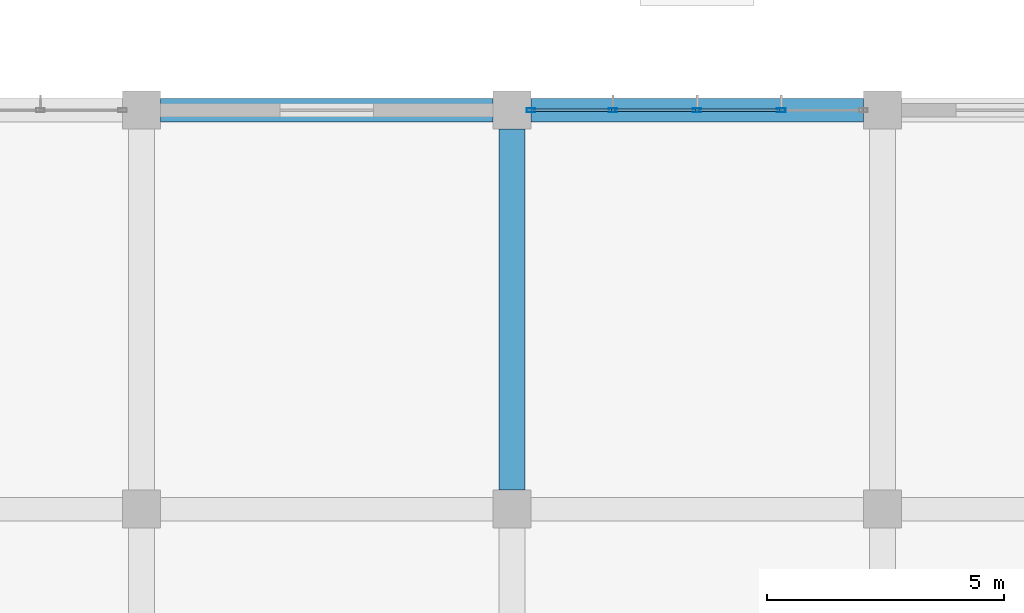
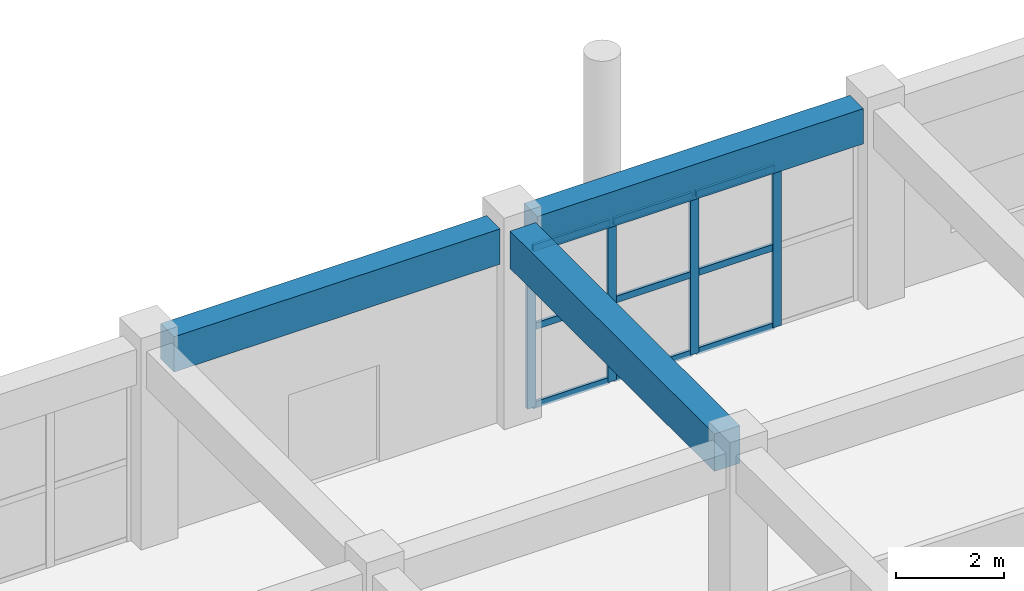
# One storey, part 98 of 139: 13 members, 3 beams, 1 element without a shape of its own.
"""IFC4 building model written with IfcOpenShell, lengths in metres."""

from ifc_helpers import new_model, si_unit, direction, frame, origin, origin_2d, place, context, subcontext, project, spatial, rectangle, hollow_rectangle, extrude, material, layer, layer_set, material_profile, profile_set, type_object, element, aggregate, save


model = new_model("IFC4")

# Units and contexts
model_context = context("Model", 3, precision=1e-05, world=origin(), true_north=direction((0.0, 1.0)))
body_context = subcontext(model_context, "Body", "Model", "MODEL_VIEW")
ifc_project = project(units=[si_unit("LENGTHUNIT", "METRE"), si_unit("AREAUNIT", "SQUARE_METRE"), si_unit("VOLUMEUNIT", "CUBIC_METRE"), si_unit("PLANEANGLEUNIT", "RADIAN"), si_unit("MASSUNIT", "GRAM", prefix="KILO")], contexts=[model_context])

# Site, building, storey
site_placement = place(None, origin())
site = spatial("IfcSite", under=ifc_project, at=site_placement, CompositionType="ELEMENT")
building_placement = place(site_placement, origin())
building = spatial("IfcBuilding", under=site, at=building_placement, Name="Zizhar Promenade General Hospital", CompositionType="ELEMENT")
storey_placement = place(building_placement, origin())
storey = spatial("IfcBuildingStorey", under=building, at=storey_placement, Name="L00", CompositionType="ELEMENT", Elevation=0.0)

# Beams
ifc_material_1 = material(Name="Concrete C35/45", Category="concrete")
ifc_material_profile_1 = material_profile(ifc_material_1, rectangle(XDim=0.5, YDim=0.800048828125, at=origin_2d()))
ifc_profile_set_1 = profile_set([ifc_material_profile_1], Name="Concrete C35/45")
beam_type_1 = type_object("IfcBeamType", Name="BM-RC-500x800", PredefinedType="BEAM", material=ifc_profile_set_1)
for number, where, z_axis, x_axis, name in (
    (1, (109.60009765625, 134.39990234375, 4.070068359375), (1.0, 0.0, 0.0), (0.0, 1.0, 0.0), "Grid Beam X L00 (14-16)"),
    (2, (117.39990234375, 134.39990234375, 4.070068359375), (1.0, 0.0, 0.0), (0.0, 1.0, 0.0), "Grid Beam X L00 (15-16)"),
):
    element("IfcBeam", number, at=place(storey_placement, frame(where, z_axis=z_axis, x_axis=x_axis)), inside=storey, type_object=beam_type_1, Name=name, PredefinedType="BEAM", context=body_context, shape_type="SweptSolid", body=[
        extrude(rectangle(XDim=0.5, YDim=0.800048828125, at=origin_2d()), origin(), (0.0, 0.0, 1.0), 7.0),
    ])
ifc_material_2 = material(Name="Concrete C35/45", Category="concrete")
ifc_material_profile_2 = material_profile(ifc_material_2, rectangle(XDim=0.550048828125, YDim=0.85009765625, at=origin_2d()))
ifc_profile_set_2 = profile_set([ifc_material_profile_2], Name="Concrete C35/45")
beam_type_2 = type_object("IfcBeamType", Name="BM-RC-550x850", PredefinedType="BEAM", material=ifc_profile_set_2)
beam_placement = place(storey_placement, frame((117.0, 126.39990234375, 4.044921875), z_axis=(0.0, 1.0, 0.0), x_axis=(-1.0, 0.0, 0.0)))
element("IfcBeam", 3, at=beam_placement, inside=storey, type_object=beam_type_2, Name="Grid Beam Y L00 (15-15)", PredefinedType="BEAM", context=body_context, shape_type="SweptSolid", body=[
    extrude(rectangle(XDim=0.550048828125, YDim=0.85009765625, at=origin_2d()), origin(), (0.0, 0.0, 1.0), 7.60009765625),
])

# Curtain wall, members
ifc_material_3 = material(Name="Anodised aluminium 6063-T6 and low-E glass", Category="aluminium")
ifc_layer = layer(ifc_material_3, 0.159912109375)
ifc_layer_set = layer_set([ifc_layer], Name="Anodised aluminium 6063-T6 and low-E glass")
curtain_wall_type = type_object("IfcCurtainWallType", Name="CW-DT-MOD2", PredefinedType="NOTDEFINED", material=ifc_layer_set)
curtain_wall_placement = place(storey_placement, origin())
curtain_wall = element("IfcCurtainWall", 4, at=curtain_wall_placement, inside=storey, type_object=curtain_wall_type, Name="Surgical North Glazed Curtain Wall L00-15", PredefinedType="NOTDEFINED")
ifc_material_4 = material(Name="Anodised aluminium 6063-T6", Category="aluminium")
ifc_material_profile_3 = material_profile(ifc_material_4, hollow_rectangle(XDim=0.080078125, YDim=0.179931640625, WallThickness=0.0048828125, at=origin_2d()))
ifc_profile_set_3 = profile_set([ifc_material_profile_3], Name="Anodised aluminium 6063-T6")
member_type_1 = type_object("IfcMemberType", Name="CWM-ALU-180x80", PredefinedType="MULLION", material=ifc_profile_set_3)
member_1_placement = place(storey_placement, frame((117.39990234375, 134.39990234375, 0.0), z_axis=(0.0, 0.0, 1.0), x_axis=(0.0, 1.0, 0.0)))
member_1 = element("IfcMember", 5, at=member_1_placement, type_object=member_type_1, Name="CW-08 mullion 1", PredefinedType="MULLION", context=body_context, shape_type="SweptSolid", body=[
    extrude(hollow_rectangle(XDim=0.080078125, YDim=0.179931640625, WallThickness=0.0048828125, at=origin_2d()), origin(), (0.0, 0.0, 1.0), 3.6298828125),
])
member_2_placement = place(storey_placement, frame((119.1298828125, 134.39990234375, 0.0), z_axis=(0.0, 0.0, 1.0), x_axis=(0.0, 1.0, 0.0)))
member_2 = element("IfcMember", 6, at=member_2_placement, type_object=member_type_1, Name="CW-08 mullion 2", PredefinedType="MULLION", context=body_context, shape_type="SweptSolid", body=[
    extrude(hollow_rectangle(XDim=0.080078125, YDim=0.179931640625, WallThickness=0.0048828125, at=origin_2d()), origin(), (0.0, 0.0, 1.0), 3.6298828125),
])
member_3_placement = place(storey_placement, frame((120.89990234375, 134.39990234375, 0.0), z_axis=(0.0, 0.0, 1.0), x_axis=(0.0, 1.0, 0.0)))
member_3 = element("IfcMember", 7, at=member_3_placement, type_object=member_type_1, Name="CW-08 mullion 3", PredefinedType="MULLION", context=body_context, shape_type="SweptSolid", body=[
    extrude(hollow_rectangle(XDim=0.080078125, YDim=0.179931640625, WallThickness=0.0048828125, at=origin_2d()), origin(), (0.0, 0.0, 1.0), 3.6298828125),
])
member_4_placement = place(storey_placement, frame((122.669921875, 134.39990234375, 0.0), z_axis=(0.0, 0.0, 1.0), x_axis=(0.0, 1.0, 0.0)))
member_4 = element("IfcMember", 8, at=member_4_placement, type_object=member_type_1, Name="CW-08 mullion 4", PredefinedType="MULLION", context=body_context, shape_type="SweptSolid", body=[
    extrude(hollow_rectangle(XDim=0.080078125, YDim=0.179931640625, WallThickness=0.0048828125, at=origin_2d()), origin(), (0.0, 0.0, 1.0), 3.6298828125),
])
ifc_material_5 = material(Name="Anodised aluminium 6063-T6", Category="aluminium")
ifc_material_profile_4 = material_profile(ifc_material_5, hollow_rectangle(XDim=0.06005859375, YDim=0.14990234375, WallThickness=0.00390625, at=origin_2d()))
ifc_profile_set_4 = profile_set([ifc_material_profile_4], Name="Anodised aluminium 6063-T6")
member_type_2 = type_object("IfcMemberType", Name="CWT-ALU-150x60", PredefinedType="USERDEFINED", material=ifc_profile_set_4)
member_5_placement = place(storey_placement, frame((117.43994140625, 134.39990234375, 0.030029296875), z_axis=(1.0, 0.0, 0.0), x_axis=(0.0, 1.0, 0.0)))
member_5 = element("IfcMember", 9, at=member_5_placement, type_object=member_type_2, Name="CW-08 transom 1.1", ObjectType="TRANSOM", PredefinedType="USERDEFINED", context=body_context, shape_type="SweptSolid", body=[
    extrude(hollow_rectangle(XDim=0.06005859375, YDim=0.14990234375, WallThickness=0.00390625, at=origin_2d()), origin(), (0.0, 0.0, 1.0), 1.650146484375),
])
member_6_placement = place(storey_placement, frame((117.43994140625, 134.39990234375, 1.81494140625), z_axis=(1.0, 0.0, 0.0), x_axis=(0.0, 1.0, 0.0)))
member_6 = element("IfcMember", 10, at=member_6_placement, type_object=member_type_2, Name="CW-08 transom 1.2", ObjectType="TRANSOM", PredefinedType="USERDEFINED", context=body_context, shape_type="SweptSolid", body=[
    extrude(hollow_rectangle(XDim=0.06005859375, YDim=0.14990234375, WallThickness=0.00390625, at=origin_2d()), origin(), (0.0, 0.0, 1.0), 1.650146484375),
])
member_7_placement = place(storey_placement, frame((117.43994140625, 134.39990234375, 3.60009765625), z_axis=(1.0, 0.0, 0.0), x_axis=(0.0, 1.0, 0.0)))
member_7 = element("IfcMember", 11, at=member_7_placement, type_object=member_type_2, Name="CW-08 transom 1.3", ObjectType="TRANSOM", PredefinedType="USERDEFINED", context=body_context, shape_type="SweptSolid", body=[
    extrude(hollow_rectangle(XDim=0.06005859375, YDim=0.14990234375, WallThickness=0.00390625, at=origin_2d()), origin(), (0.0, 0.0, 1.0), 1.650146484375),
])
member_8_placement = place(storey_placement, frame((119.169921875, 134.39990234375, 0.030029296875), z_axis=(1.0, 0.0, 0.0), x_axis=(0.0, 1.0, 0.0)))
member_8 = element("IfcMember", 12, at=member_8_placement, type_object=member_type_2, Name="CW-08 transom 2.1", ObjectType="TRANSOM", PredefinedType="USERDEFINED", context=body_context, shape_type="SweptSolid", body=[
    extrude(hollow_rectangle(XDim=0.06005859375, YDim=0.14990234375, WallThickness=0.00390625, at=origin_2d()), origin(), (0.0, 0.0, 1.0), 1.690185546875),
])
member_9_placement = place(storey_placement, frame((119.169921875, 134.39990234375, 1.81494140625), z_axis=(1.0, 0.0, 0.0), x_axis=(0.0, 1.0, 0.0)))
member_9 = element("IfcMember", 13, at=member_9_placement, type_object=member_type_2, Name="CW-08 transom 2.2", ObjectType="TRANSOM", PredefinedType="USERDEFINED", context=body_context, shape_type="SweptSolid", body=[
    extrude(hollow_rectangle(XDim=0.06005859375, YDim=0.14990234375, WallThickness=0.00390625, at=origin_2d()), origin(), (0.0, 0.0, 1.0), 1.690185546875),
])
member_10_placement = place(storey_placement, frame((119.169921875, 134.39990234375, 3.60009765625), z_axis=(1.0, 0.0, 0.0), x_axis=(0.0, 1.0, 0.0)))
member_10 = element("IfcMember", 14, at=member_10_placement, type_object=member_type_2, Name="CW-08 transom 2.3", ObjectType="TRANSOM", PredefinedType="USERDEFINED", context=body_context, shape_type="SweptSolid", body=[
    extrude(hollow_rectangle(XDim=0.06005859375, YDim=0.14990234375, WallThickness=0.00390625, at=origin_2d()), origin(), (0.0, 0.0, 1.0), 1.690185546875),
])
member_11_placement = place(storey_placement, frame((120.93994140625, 134.39990234375, 0.030029296875), z_axis=(1.0, 0.0, 0.0), x_axis=(0.0, 1.0, 0.0)))
member_11 = element("IfcMember", 15, at=member_11_placement, type_object=member_type_2, Name="CW-08 transom 3.1", ObjectType="TRANSOM", PredefinedType="USERDEFINED", context=body_context, shape_type="SweptSolid", body=[
    extrude(hollow_rectangle(XDim=0.06005859375, YDim=0.14990234375, WallThickness=0.00390625, at=origin_2d()), origin(), (0.0, 0.0, 1.0), 1.68994140625),
])
member_12_placement = place(storey_placement, frame((120.93994140625, 134.39990234375, 1.81494140625), z_axis=(1.0, 0.0, 0.0), x_axis=(0.0, 1.0, 0.0)))
member_12 = element("IfcMember", 16, at=member_12_placement, type_object=member_type_2, Name="CW-08 transom 3.2", ObjectType="TRANSOM", PredefinedType="USERDEFINED", context=body_context, shape_type="SweptSolid", body=[
    extrude(hollow_rectangle(XDim=0.06005859375, YDim=0.14990234375, WallThickness=0.00390625, at=origin_2d()), origin(), (0.0, 0.0, 1.0), 1.68994140625),
])
member_13_placement = place(storey_placement, frame((120.93994140625, 134.39990234375, 3.60009765625), z_axis=(1.0, 0.0, 0.0), x_axis=(0.0, 1.0, 0.0)))
member_13 = element("IfcMember", 17, at=member_13_placement, type_object=member_type_2, Name="CW-08 transom 3.3", ObjectType="TRANSOM", PredefinedType="USERDEFINED", context=body_context, shape_type="SweptSolid", body=[
    extrude(hollow_rectangle(XDim=0.06005859375, YDim=0.14990234375, WallThickness=0.00390625, at=origin_2d()), origin(), (0.0, 0.0, 1.0), 1.68994140625),
])
aggregate(curtain_wall, [member_1, member_2, member_3, member_4, member_5, member_6, member_7, member_8, member_9, member_10, member_11, member_12, member_13])

save(model, "model.ifc")
